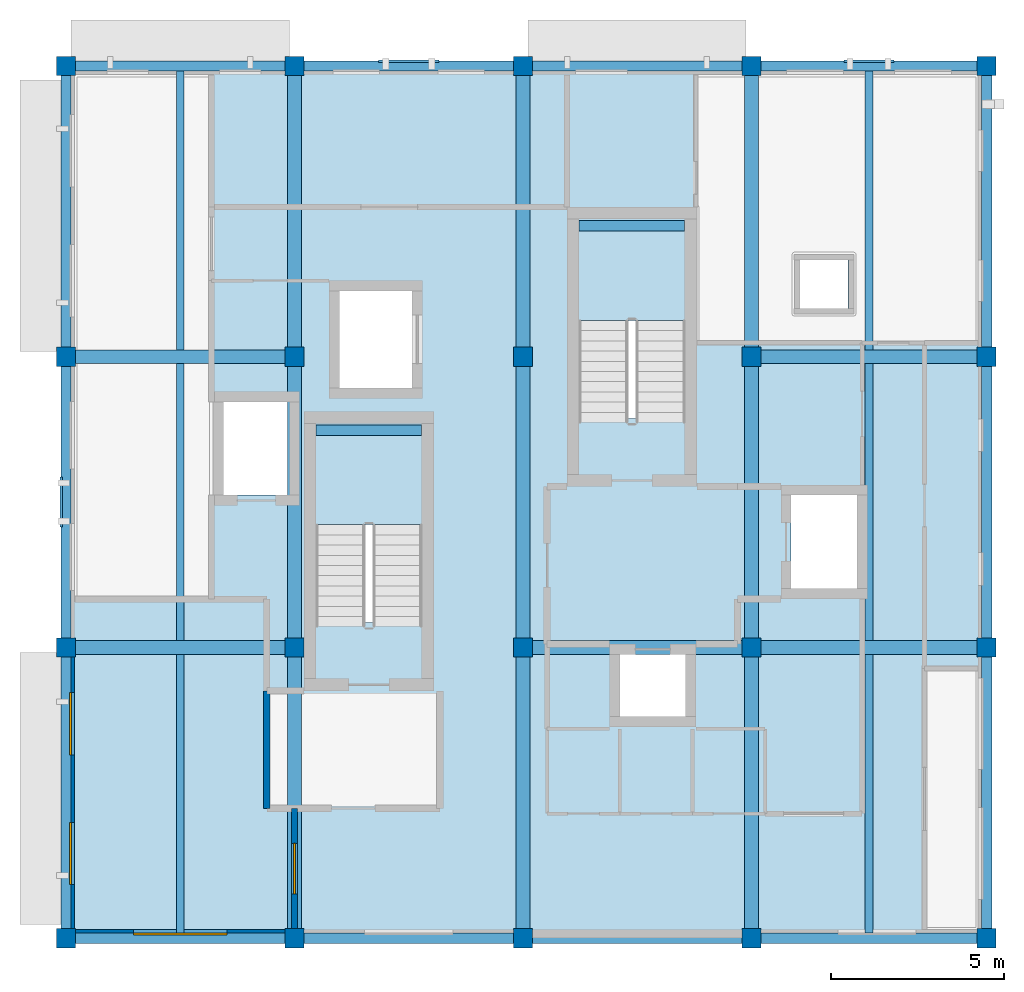
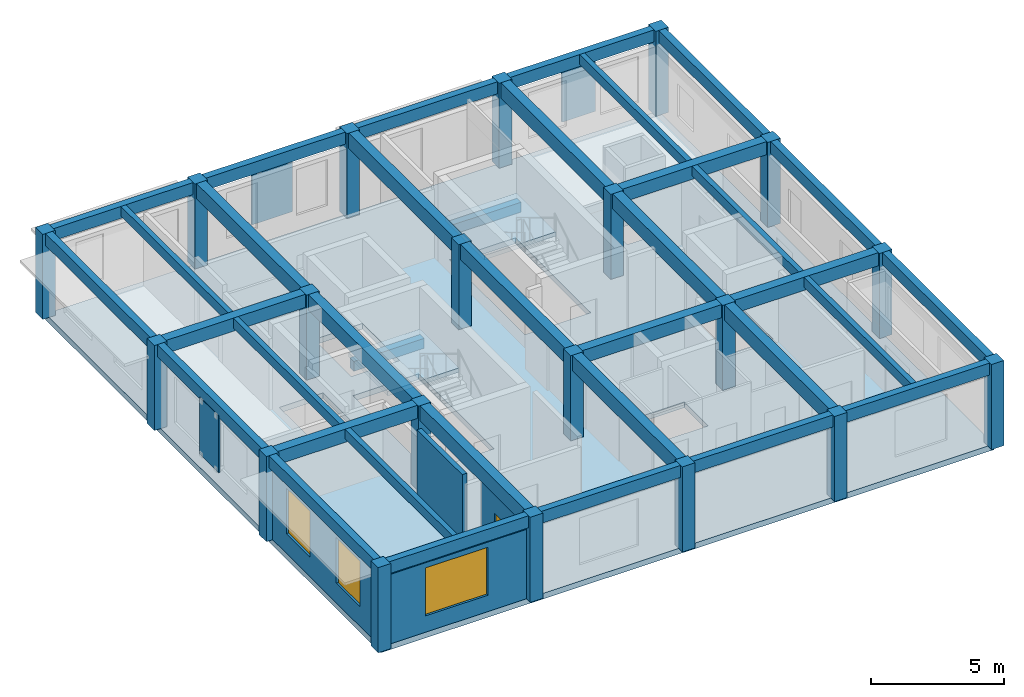
# One storey, part 1 of 6: 36 beams, 20 columns, 4 walls, 3 plates, 3 slabs, 3 windows, 1 door, 4 openings, 2 elements without a shape of their own.
"""IFC4 building model written with IfcOpenShell, lengths in metres."""

from ifc_helpers import new_model, si_unit, direction, frame, frame_2d, origin, origin_2d, place, context, subcontext, project, spatial, polyline, rectangle, outline, extrude, material, layer, layer_set, material_profile, profile_set, type_object, element, fill, aggregate, save


model = new_model("IFC4")

# Units and contexts
model_context = context("Model", 3, precision=1e-05, world=origin(), true_north=direction((0.0, 1.0)))
body_context = subcontext(model_context, "Body", "Model", "MODEL_VIEW")
ifc_project = project(units=[si_unit("LENGTHUNIT", "METRE"), si_unit("AREAUNIT", "SQUARE_METRE"), si_unit("VOLUMEUNIT", "CUBIC_METRE"), si_unit("PLANEANGLEUNIT", "RADIAN"), si_unit("MASSUNIT", "GRAM", prefix="KILO")], contexts=[model_context])

# Site, building, storey
site_placement = place(None, origin())
site = spatial("IfcSite", under=ifc_project, at=site_placement, CompositionType="ELEMENT")
building_placement = place(site_placement, origin())
building = spatial("IfcBuilding", under=site, at=building_placement, Name="Kolvaren Faculty of Natural Sciences", CompositionType="ELEMENT")
storey_placement = place(building_placement, frame((0.0, 0.0, 36.60009765625)))
storey = spatial("IfcBuildingStorey", under=building, at=storey_placement, Name="L08", CompositionType="ELEMENT", Elevation=36.60009765625)

# Columns
ifc_material_1 = material(Name="Concrete C35/45", Category="concrete")
ifc_material_profile_1 = material_profile(ifc_material_1, rectangle(XDim=0.550048828125, YDim=0.550048828125, at=origin_2d()), Name="RC COL 550x550")
ifc_profile_set_1 = profile_set([ifc_material_profile_1], Name="Concrete C35/45")
column_type = type_object("IfcColumnType", Name="UpperColumn_550x550", PredefinedType="COLUMN", material=ifc_profile_set_1)
for number, where, z_axis, x_axis, name in (
    (1, (145.39990234375, 59.0, 0.0), (0.0, 0.0, 1.0), (1.0, 0.0, 0.0), "L08 column UC-55 at 23/H"),
    (2, (145.39990234375, 67.39990234375, 0.0), (0.0, 0.0, 1.0), (1.0, 0.0, 0.0), "L08 column UC-55 at 23/J"),
    (3, (145.39990234375, 75.800048828125, 0.0), (0.0, 0.0, 1.0), (1.0, 0.0, 0.0), "L08 column UC-55 at 23/K"),
    (4, (145.39990234375, 84.199951171875, 0.0), (0.0, 0.0, 1.0), (1.0, 0.0, 0.0), "L08 column UC-55 at 23/L"),
    (5, (152.0, 59.0, 0.0), (0.0, 0.0, 1.0), (1.0, 0.0, 0.0), "L08 column UC-55 at 24/H"),
    (6, (152.0, 67.39990234375, 0.0), (0.0, 0.0, 1.0), (1.0, 0.0, 0.0), "L08 column UC-55 at 24/J"),
    (7, (152.0, 75.800048828125, 0.0), (0.0, 0.0, 1.0), (1.0, 0.0, 0.0), "L08 column UC-55 at 24/K"),
    (8, (152.0, 84.199951171875, 0.0), (0.0, 0.0, 1.0), (1.0, 0.0, 0.0), "L08 column UC-55 at 24/L"),
    (9, (158.60009765625, 59.0, 0.0), (0.0, 0.0, 1.0), (1.0, 0.0, 0.0), "L08 column UC-55 at 25/H"),
    (10, (158.60009765625, 67.39990234375, 0.0), (0.0, 0.0, 1.0), (1.0, 0.0, 0.0), "L08 column UC-55 at 25/J"),
    (11, (158.60009765625, 75.800048828125, 0.0), (0.0, 0.0, 1.0), (1.0, 0.0, 0.0), "L08 column UC-55 at 25/K"),
    (12, (158.60009765625, 84.199951171875, 0.0), (0.0, 0.0, 1.0), (1.0, 0.0, 0.0), "L08 column UC-55 at 25/L"),
    (13, (165.199951171875, 59.0, 0.0), (0.0, 0.0, 1.0), (1.0, 0.0, 0.0), "L08 column UC-55 at 26/H"),
    (14, (165.199951171875, 67.39990234375, 0.0), (0.0, 0.0, 1.0), (1.0, 0.0, 0.0), "L08 column UC-55 at 26/J"),
    (15, (165.199951171875, 75.800048828125, 0.0), (0.0, 0.0, 1.0), (1.0, 0.0, 0.0), "L08 column UC-55 at 26/K"),
    (16, (165.199951171875, 84.199951171875, 0.0), (0.0, 0.0, 1.0), (1.0, 0.0, 0.0), "L08 column UC-55 at 26/L"),
    (17, (172.0, 59.0, 0.0), (0.0, 0.0, 1.0), (1.0, 0.0, 0.0), "L08 column UC-55 at 27/H"),
    (18, (172.0, 67.39990234375, 0.0), (0.0, 0.0, 1.0), (1.0, 0.0, 0.0), "L08 column UC-55 at 27/J"),
    (19, (172.0, 75.800048828125, 0.0), (0.0, 0.0, 1.0), (1.0, 0.0, 0.0), "L08 column UC-55 at 27/K"),
    (20, (172.0, 84.199951171875, 0.0), (0.0, 0.0, 1.0), (1.0, 0.0, 0.0), "L08 column UC-55 at 27/L"),
):
    element("IfcColumn", number, at=place(storey_placement, frame(where, z_axis=z_axis, x_axis=x_axis)), inside=storey, type_object=column_type, Name=name, PredefinedType="COLUMN", context=body_context, shape_type="SweptSolid", body=[
        extrude(rectangle(XDim=0.550048828125, YDim=0.550048828125, at=origin_2d()), origin(), (0.0, 0.0, 1.0), 3.89990234375),
    ])

# Beams
ifc_material_2 = material(Name="Concrete C40/50", Category="concrete")
ifc_material_profile_2 = material_profile(ifc_material_2, rectangle(XDim=0.300048828125, YDim=0.449951171875, at=origin_2d()), Name="RC LNT 300x450")
ifc_profile_set_2 = profile_set([ifc_material_profile_2], Name="Concrete C40/50")
beam_type_1 = type_object("IfcBeamType", Name="CoreCouplingLintel_300x450", PredefinedType="LINTEL", material=ifc_profile_set_2)
beam_1_placement = place(storey_placement, frame((160.22509765625, 79.580078125, 1.52490234375), z_axis=(1.0, 0.0, 0.0), x_axis=(0.0, 1.0, 0.0)))
element("IfcBeam", 21, at=beam_1_placement, inside=storey, type_object=beam_type_1, Name="L08 ST-1 half-landing support lintel", PredefinedType="LINTEL", context=body_context, shape_type="SweptSolid", body=[
    extrude(rectangle(XDim=0.300048828125, YDim=0.449951171875, at=origin_2d()), origin(), (0.0, 0.0, 1.0), 3.0498046875),
])
beam_2_placement = place(storey_placement, frame((152.625, 73.679931640625, 1.52490234375), z_axis=(1.0, 0.0, 0.0), x_axis=(0.0, 1.0, 0.0)))
element("IfcBeam", 22, at=beam_2_placement, inside=storey, type_object=beam_type_1, Name="L08 ST-2 half-landing support lintel", PredefinedType="LINTEL", context=body_context, shape_type="SweptSolid", body=[
    extrude(rectangle(XDim=0.300048828125, YDim=0.449951171875, at=origin_2d()), origin(), (0.0, 0.0, 1.0), 3.050048828125),
])
ifc_material_profile_3 = material_profile(ifc_material_1, rectangle(XDim=0.39990234375, YDim=0.60009765625, at=origin_2d()), Name="RC BM 400x600")
ifc_profile_set_3 = profile_set([ifc_material_profile_3], Name="Concrete C35/45")
beam_type_2 = type_object("IfcBeamType", Name="GridBeam_400x600", PredefinedType="BEAM", material=ifc_profile_set_3)
for number, where, z_axis, x_axis, name in (
    (23, (145.675048828125, 67.39990234375, 3.599853515625), (1.0, 0.0, 0.0), (0.0, 1.0, 0.0), "L08 beam BM-60 on grid J"),
    (24, (158.875, 67.39990234375, 3.599853515625), (1.0, 0.0, 0.0), (0.0, 1.0, 0.0), "L08 beam BM-60 on grid J"),
):
    element("IfcBeam", number, at=place(storey_placement, frame(where, z_axis=z_axis, x_axis=x_axis)), inside=storey, type_object=beam_type_2, Name=name, PredefinedType="BEAM", context=body_context, shape_type="SweptSolid", body=[
        extrude(rectangle(XDim=0.39990234375, YDim=0.60009765625, at=origin_2d()), origin(), (0.0, 0.0, 1.0), 6.050048828125),
    ])
beam_3_placement = place(storey_placement, frame((165.47509765625, 67.39990234375, 3.599853515625), z_axis=(1.0, 0.0, 0.0), x_axis=(0.0, 1.0, 0.0)))
element("IfcBeam", 25, at=beam_3_placement, inside=storey, type_object=beam_type_2, Name="L08 beam BM-60 on grid J", PredefinedType="BEAM", context=body_context, shape_type="SweptSolid", body=[
    extrude(rectangle(XDim=0.39990234375, YDim=0.60009765625, at=origin_2d()), origin(), (0.0, 0.0, 1.0), 6.25),
])
beam_4_placement = place(storey_placement, frame((145.675048828125, 75.800048828125, 3.599853515625), z_axis=(1.0, 0.0, 0.0), x_axis=(0.0, 1.0, 0.0)))
element("IfcBeam", 26, at=beam_4_placement, inside=storey, type_object=beam_type_2, Name="L08 beam BM-60 on grid K", PredefinedType="BEAM", context=body_context, shape_type="SweptSolid", body=[
    extrude(rectangle(XDim=0.39990234375, YDim=0.60009765625, at=origin_2d()), origin(), (0.0, 0.0, 1.0), 6.050048828125),
])
beam_5_placement = place(storey_placement, frame((165.47509765625, 75.800048828125, 3.599853515625), z_axis=(1.0, 0.0, 0.0), x_axis=(0.0, 1.0, 0.0)))
element("IfcBeam", 27, at=beam_5_placement, inside=storey, type_object=beam_type_2, Name="L08 beam BM-60 on grid K", PredefinedType="BEAM", context=body_context, shape_type="SweptSolid", body=[
    extrude(rectangle(XDim=0.39990234375, YDim=0.60009765625, at=origin_2d()), origin(), (0.0, 0.0, 1.0), 6.25),
])
ifc_material_profile_4 = material_profile(ifc_material_1, rectangle(XDim=0.219970703125, YDim=0.449951171875, at=origin_2d()), Name="RC JST 220x450")
ifc_profile_set_4 = profile_set([ifc_material_profile_4], Name="Concrete C35/45")
beam_type_3 = type_object("IfcBeamType", Name="OfficeRibJoist_220x450", PredefinedType="JOIST", material=ifc_profile_set_4)
beam_6_placement = place(storey_placement, frame((148.699951171875, 59.14990234375, 3.6748046875), z_axis=(0.0, 1.0, 0.0), x_axis=(-1.0, 0.0, 0.0)))
element("IfcBeam", 28, at=beam_6_placement, inside=storey, type_object=beam_type_3, Name="L08 ribbed laboratory slab joist JS-45", PredefinedType="JOIST", context=body_context, shape_type="SweptSolid", body=[
    extrude(rectangle(XDim=0.219970703125, YDim=0.449951171875, at=origin_2d()), origin(), (0.0, 0.0, 1.0), 8.050048828125),
])
beam_7_placement = place(storey_placement, frame((148.699951171875, 67.60009765625, 3.6748046875), z_axis=(0.0, 1.0, 0.0), x_axis=(-1.0, 0.0, 0.0)))
element("IfcBeam", 29, at=beam_7_placement, inside=storey, type_object=beam_type_3, Name="L08 ribbed laboratory slab joist JS-45", PredefinedType="JOIST", context=body_context, shape_type="SweptSolid", body=[
    extrude(rectangle(XDim=0.219970703125, YDim=0.449951171875, at=origin_2d()), origin(), (0.0, 0.0, 1.0), 8.0),
])
for number, where, z_axis, x_axis, name in (
    (30, (148.699951171875, 76.0, 3.6748046875), (0.0, 1.0, 0.0), (-1.0, 0.0, 0.0), "L08 ribbed laboratory slab joist JS-45"),
    (31, (168.60009765625, 59.14990234375, 3.6748046875), (0.0, 1.0, 0.0), (-1.0, 0.0, 0.0), "L08 ribbed laboratory slab joist JS-45"),
):
    element("IfcBeam", number, at=place(storey_placement, frame(where, z_axis=z_axis, x_axis=x_axis)), inside=storey, type_object=beam_type_3, Name=name, PredefinedType="JOIST", context=body_context, shape_type="SweptSolid", body=[
        extrude(rectangle(XDim=0.219970703125, YDim=0.449951171875, at=origin_2d()), origin(), (0.0, 0.0, 1.0), 8.050048828125),
    ])
beam_8_placement = place(storey_placement, frame((168.60009765625, 67.60009765625, 3.6748046875), z_axis=(0.0, 1.0, 0.0), x_axis=(-1.0, 0.0, 0.0)))
element("IfcBeam", 32, at=beam_8_placement, inside=storey, type_object=beam_type_3, Name="L08 ribbed laboratory slab joist JS-45", PredefinedType="JOIST", context=body_context, shape_type="SweptSolid", body=[
    extrude(rectangle(XDim=0.219970703125, YDim=0.449951171875, at=origin_2d()), origin(), (0.0, 0.0, 1.0), 8.0),
])
beam_9_placement = place(storey_placement, frame((168.60009765625, 76.0, 3.6748046875), z_axis=(0.0, 1.0, 0.0), x_axis=(-1.0, 0.0, 0.0)))
element("IfcBeam", 33, at=beam_9_placement, inside=storey, type_object=beam_type_3, Name="L08 ribbed laboratory slab joist JS-45", PredefinedType="JOIST", context=body_context, shape_type="SweptSolid", body=[
    extrude(rectangle(XDim=0.219970703125, YDim=0.449951171875, at=origin_2d()), origin(), (0.0, 0.0, 1.0), 8.050048828125),
])
ifc_material_profile_5 = material_profile(ifc_material_1, rectangle(XDim=0.300048828125, YDim=0.550048828125, at=origin_2d()), Name="RC SP 300x550")
ifc_profile_set_5 = profile_set([ifc_material_profile_5], Name="Concrete C35/45")
beam_type_4 = type_object("IfcBeamType", Name="PerimeterSpandrel_300x550", PredefinedType="SPANDREL", material=ifc_profile_set_5)
for number, where, z_axis, x_axis, name in (
    (34, (145.675048828125, 59.0, 3.625), (1.0, 0.0, 0.0), (0.0, 1.0, 0.0), "L08 spandrel SP-55 on grid H"),
    (35, (152.27490234375, 59.0, 3.625), (1.0, 0.0, 0.0), (0.0, 1.0, 0.0), "L08 spandrel SP-55 on grid H"),
    (36, (158.875, 59.0, 3.625), (1.0, 0.0, 0.0), (0.0, 1.0, 0.0), "L08 spandrel SP-55 on grid H"),
):
    element("IfcBeam", number, at=place(storey_placement, frame(where, z_axis=z_axis, x_axis=x_axis)), inside=storey, type_object=beam_type_4, Name=name, PredefinedType="SPANDREL", context=body_context, shape_type="SweptSolid", body=[
        extrude(rectangle(XDim=0.300048828125, YDim=0.550048828125, at=origin_2d()), origin(), (0.0, 0.0, 1.0), 6.050048828125),
    ])
beam_10_placement = place(storey_placement, frame((165.47509765625, 59.0, 3.625), z_axis=(1.0, 0.0, 0.0), x_axis=(0.0, 1.0, 0.0)))
element("IfcBeam", 37, at=beam_10_placement, inside=storey, type_object=beam_type_4, Name="L08 spandrel SP-55 on grid H", PredefinedType="SPANDREL", context=body_context, shape_type="SweptSolid", body=[
    extrude(rectangle(XDim=0.300048828125, YDim=0.550048828125, at=origin_2d()), origin(), (0.0, 0.0, 1.0), 6.25),
])
for number, where, z_axis, x_axis, name in (
    (38, (145.675048828125, 84.199951171875, 3.625), (1.0, 0.0, 0.0), (0.0, 1.0, 0.0), "L08 spandrel SP-55 on grid L"),
    (39, (152.27490234375, 84.199951171875, 3.625), (1.0, 0.0, 0.0), (0.0, 1.0, 0.0), "L08 spandrel SP-55 on grid L"),
    (40, (158.875, 84.199951171875, 3.625), (1.0, 0.0, 0.0), (0.0, 1.0, 0.0), "L08 spandrel SP-55 on grid L"),
):
    element("IfcBeam", number, at=place(storey_placement, frame(where, z_axis=z_axis, x_axis=x_axis)), inside=storey, type_object=beam_type_4, Name=name, PredefinedType="SPANDREL", context=body_context, shape_type="SweptSolid", body=[
        extrude(rectangle(XDim=0.300048828125, YDim=0.550048828125, at=origin_2d()), origin(), (0.0, 0.0, 1.0), 6.050048828125),
    ])
beam_11_placement = place(storey_placement, frame((165.47509765625, 84.199951171875, 3.625), z_axis=(1.0, 0.0, 0.0), x_axis=(0.0, 1.0, 0.0)))
element("IfcBeam", 41, at=beam_11_placement, inside=storey, type_object=beam_type_4, Name="L08 spandrel SP-55 on grid L", PredefinedType="SPANDREL", context=body_context, shape_type="SweptSolid", body=[
    extrude(rectangle(XDim=0.300048828125, YDim=0.550048828125, at=origin_2d()), origin(), (0.0, 0.0, 1.0), 6.25),
])
beam_12_placement = place(storey_placement, frame((145.39990234375, 59.27490234375, 3.625), z_axis=(0.0, 1.0, 0.0), x_axis=(-1.0, 0.0, 0.0)))
element("IfcBeam", 42, at=beam_12_placement, inside=storey, type_object=beam_type_4, Name="L08 girder SP-55 on grid 23", PredefinedType="SPANDREL", context=body_context, shape_type="SweptSolid", body=[
    extrude(rectangle(XDim=0.300048828125, YDim=0.550048828125, at=origin_2d()), origin(), (0.0, 0.0, 1.0), 7.85009765625),
])
beam_13_placement = place(storey_placement, frame((145.39990234375, 67.675048828125, 3.625), z_axis=(0.0, 1.0, 0.0), x_axis=(-1.0, 0.0, 0.0)))
element("IfcBeam", 43, at=beam_13_placement, inside=storey, type_object=beam_type_4, Name="L08 girder SP-55 on grid 23", PredefinedType="SPANDREL", context=body_context, shape_type="SweptSolid", body=[
    extrude(rectangle(XDim=0.300048828125, YDim=0.550048828125, at=origin_2d()), origin(), (0.0, 0.0, 1.0), 7.849853515625),
])
for number, where, z_axis, x_axis, name in (
    (44, (145.39990234375, 76.074951171875, 3.625), (0.0, 1.0, 0.0), (-1.0, 0.0, 0.0), "L08 girder SP-55 on grid 23"),
    (45, (172.0, 59.27490234375, 3.625), (0.0, 1.0, 0.0), (-1.0, 0.0, 0.0), "L08 girder SP-55 on grid 27"),
):
    element("IfcBeam", number, at=place(storey_placement, frame(where, z_axis=z_axis, x_axis=x_axis)), inside=storey, type_object=beam_type_4, Name=name, PredefinedType="SPANDREL", context=body_context, shape_type="SweptSolid", body=[
        extrude(rectangle(XDim=0.300048828125, YDim=0.550048828125, at=origin_2d()), origin(), (0.0, 0.0, 1.0), 7.85009765625),
    ])
beam_14_placement = place(storey_placement, frame((172.0, 67.675048828125, 3.625), z_axis=(0.0, 1.0, 0.0), x_axis=(-1.0, 0.0, 0.0)))
element("IfcBeam", 46, at=beam_14_placement, inside=storey, type_object=beam_type_4, Name="L08 girder SP-55 on grid 27", PredefinedType="SPANDREL", context=body_context, shape_type="SweptSolid", body=[
    extrude(rectangle(XDim=0.300048828125, YDim=0.550048828125, at=origin_2d()), origin(), (0.0, 0.0, 1.0), 7.849853515625),
])
beam_15_placement = place(storey_placement, frame((172.0, 76.074951171875, 3.625), z_axis=(0.0, 1.0, 0.0), x_axis=(-1.0, 0.0, 0.0)))
element("IfcBeam", 47, at=beam_15_placement, inside=storey, type_object=beam_type_4, Name="L08 girder SP-55 on grid 27", PredefinedType="SPANDREL", context=body_context, shape_type="SweptSolid", body=[
    extrude(rectangle(XDim=0.300048828125, YDim=0.550048828125, at=origin_2d()), origin(), (0.0, 0.0, 1.0), 7.85009765625),
])
ifc_material_profile_6 = material_profile(ifc_material_1, rectangle(XDim=0.39990234375, YDim=0.699951171875, at=origin_2d()), Name="RC BM 400x700")
ifc_profile_set_6 = profile_set([ifc_material_profile_6], Name="Concrete C35/45")
beam_type_5 = type_object("IfcBeamType", Name="UpperGirder_400x700", PredefinedType="BEAM", material=ifc_profile_set_6)
beam_16_placement = place(storey_placement, frame((152.0, 59.27490234375, 3.5498046875), z_axis=(0.0, 1.0, 0.0), x_axis=(-1.0, 0.0, 0.0)))
element("IfcBeam", 48, at=beam_16_placement, inside=storey, type_object=beam_type_5, Name="L08 girder BG-70 on grid 24", PredefinedType="BEAM", context=body_context, shape_type="SweptSolid", body=[
    extrude(rectangle(XDim=0.39990234375, YDim=0.699951171875, at=origin_2d()), origin(), (0.0, 0.0, 1.0), 7.85009765625),
])
beam_17_placement = place(storey_placement, frame((152.0, 67.675048828125, 3.5498046875), z_axis=(0.0, 1.0, 0.0), x_axis=(-1.0, 0.0, 0.0)))
element("IfcBeam", 49, at=beam_17_placement, inside=storey, type_object=beam_type_5, Name="L08 girder BG-70 on grid 24", PredefinedType="BEAM", context=body_context, shape_type="SweptSolid", body=[
    extrude(rectangle(XDim=0.39990234375, YDim=0.699951171875, at=origin_2d()), origin(), (0.0, 0.0, 1.0), 7.849853515625),
])
for number, where, z_axis, x_axis, name in (
    (50, (152.0, 76.074951171875, 3.5498046875), (0.0, 1.0, 0.0), (-1.0, 0.0, 0.0), "L08 girder BG-70 on grid 24"),
    (51, (158.60009765625, 59.27490234375, 3.5498046875), (0.0, 1.0, 0.0), (-1.0, 0.0, 0.0), "L08 girder BG-70 on grid 25"),
):
    element("IfcBeam", number, at=place(storey_placement, frame(where, z_axis=z_axis, x_axis=x_axis)), inside=storey, type_object=beam_type_5, Name=name, PredefinedType="BEAM", context=body_context, shape_type="SweptSolid", body=[
        extrude(rectangle(XDim=0.39990234375, YDim=0.699951171875, at=origin_2d()), origin(), (0.0, 0.0, 1.0), 7.85009765625),
    ])
beam_18_placement = place(storey_placement, frame((158.60009765625, 67.675048828125, 3.5498046875), z_axis=(0.0, 1.0, 0.0), x_axis=(-1.0, 0.0, 0.0)))
element("IfcBeam", 52, at=beam_18_placement, inside=storey, type_object=beam_type_5, Name="L08 girder BG-70 on grid 25", PredefinedType="BEAM", context=body_context, shape_type="SweptSolid", body=[
    extrude(rectangle(XDim=0.39990234375, YDim=0.699951171875, at=origin_2d()), origin(), (0.0, 0.0, 1.0), 7.849853515625),
])
for number, where, z_axis, x_axis, name in (
    (53, (158.60009765625, 76.074951171875, 3.5498046875), (0.0, 1.0, 0.0), (-1.0, 0.0, 0.0), "L08 girder BG-70 on grid 25"),
    (54, (165.199951171875, 59.27490234375, 3.5498046875), (0.0, 1.0, 0.0), (-1.0, 0.0, 0.0), "L08 girder BG-70 on grid 26"),
):
    element("IfcBeam", number, at=place(storey_placement, frame(where, z_axis=z_axis, x_axis=x_axis)), inside=storey, type_object=beam_type_5, Name=name, PredefinedType="BEAM", context=body_context, shape_type="SweptSolid", body=[
        extrude(rectangle(XDim=0.39990234375, YDim=0.699951171875, at=origin_2d()), origin(), (0.0, 0.0, 1.0), 7.85009765625),
    ])
beam_19_placement = place(storey_placement, frame((165.199951171875, 67.675048828125, 3.5498046875), z_axis=(0.0, 1.0, 0.0), x_axis=(-1.0, 0.0, 0.0)))
element("IfcBeam", 55, at=beam_19_placement, inside=storey, type_object=beam_type_5, Name="L08 girder BG-70 on grid 26", PredefinedType="BEAM", context=body_context, shape_type="SweptSolid", body=[
    extrude(rectangle(XDim=0.39990234375, YDim=0.699951171875, at=origin_2d()), origin(), (0.0, 0.0, 1.0), 7.849853515625),
])
beam_20_placement = place(storey_placement, frame((165.199951171875, 76.074951171875, 3.5498046875), z_axis=(0.0, 1.0, 0.0), x_axis=(-1.0, 0.0, 0.0)))
element("IfcBeam", 56, at=beam_20_placement, inside=storey, type_object=beam_type_5, Name="L08 girder BG-70 on grid 26", PredefinedType="BEAM", context=body_context, shape_type="SweptSolid", body=[
    extrude(rectangle(XDim=0.39990234375, YDim=0.699951171875, at=origin_2d()), origin(), (0.0, 0.0, 1.0), 7.85009765625),
])

# Plates
ifc_material_3 = material(Name="Extruded architectural terracotta screen", Category="masonry")
ifc_layer_1 = layer(ifc_material_3, 0.06494140625)
ifc_layer_set_1 = layer_set([ifc_layer_1], Name="Extruded architectural terracotta screen")
plate_type_1 = type_object("IfcPlateType", Name="EnvelopePlate_JL01", PredefinedType="USERDEFINED", material=ifc_layer_set_1)
plate_1_placement = place(storey_placement, frame((145.260009765625, 71.60009765625, 0.849853515625), z_axis=(0.0, 0.0, 1.0), x_axis=(0.0, 1.0, 0.0)))
element("IfcPlate", 57, at=plate_1_placement, inside=storey, type_object=plate_type_1, Name="L08 perforated terracotta jali sun screen JL-01", ObjectType="SCREEN", PredefinedType="USERDEFINED", context=body_context, shape_type="SweptSolid", body=[
    extrude(rectangle(XDim=1.449951171875, YDim=0.06494140625, at=origin_2d()), origin(), (0.0, 0.0, 1.0), 2.60009765625),
])
ifc_layer_2 = layer(ifc_material_3, 0.06494140625)
ifc_layer_set_2 = layer_set([ifc_layer_2], Name="Extruded architectural terracotta screen")
plate_type_2 = type_object("IfcPlateType", Name="EnvelopePlate_JL02", PredefinedType="USERDEFINED", material=ifc_layer_set_2)
plate_2_placement = place(storey_placement, frame((155.300048828125, 84.340087890625, 0.849853515625), z_axis=(0.0, 0.0, 1.0), x_axis=(1.0, 0.0, 0.0)))
element("IfcPlate", 58, at=plate_2_placement, inside=storey, type_object=plate_type_2, Name="L08 perforated terracotta jali sun screen JL-02", ObjectType="SCREEN", PredefinedType="USERDEFINED", context=body_context, shape_type="SweptSolid", body=[
    extrude(rectangle(XDim=1.75, YDim=0.06494140625, at=origin_2d()), origin(), (0.0, 0.0, 1.0), 2.60009765625),
])
ifc_layer_3 = layer(ifc_material_3, 0.06494140625)
ifc_layer_set_3 = layer_set([ifc_layer_3], Name="Extruded architectural terracotta screen")
plate_type_3 = type_object("IfcPlateType", Name="EnvelopePlate_JL03", PredefinedType="USERDEFINED", material=ifc_layer_set_3)
plate_3_placement = place(storey_placement, frame((168.60009765625, 84.340087890625, 0.849853515625), z_axis=(0.0, 0.0, 1.0), x_axis=(1.0, 0.0, 0.0)))
element("IfcPlate", 59, at=plate_3_placement, inside=storey, type_object=plate_type_3, Name="L08 perforated terracotta jali sun screen JL-03", ObjectType="SCREEN", PredefinedType="USERDEFINED", context=body_context, shape_type="SweptSolid", body=[
    extrude(rectangle(XDim=1.449951171875, YDim=0.06494140625, at=origin_2d()), origin(), (0.0, 0.0, 1.0), 2.68505859375),
])

# Stair, slab
stair_type = type_object("IfcStairType", Name="DoglegStair_H3900", PredefinedType="HALF_TURN_STAIR", material=ifc_material_1)
stair_1_placement = place(storey_placement, origin())
stair_1 = element("IfcStair", 60, at=stair_1_placement, inside=storey, type_object=stair_type, Name="L08 Protected exit stair ST-1", PredefinedType="HALF_TURN_STAIR")
ifc_layer_4 = layer(ifc_material_1, 0.199951171875)
ifc_layer_set_4 = layer_set([ifc_layer_4], Name="Concrete C35/45")
slab_type_1 = type_object("IfcSlabType", Name="StairLandingSlab_200", PredefinedType="LANDING", material=ifc_layer_set_4)
slab_1_placement = place(storey_placement, frame((0.0, 0.0, 1.75)))
slab_1 = element("IfcSlab", 61, at=slab_1_placement, type_object=slab_type_1, Name="ST-1 landing 1", PredefinedType="LANDING", context=body_context, shape_type="SweptSolid", body=[
    extrude(outline(polyline([(163.300048828125, 76.85009765625), (163.300048828125, 79.800048828125), (160.199951171875, 79.800048828125), (160.199951171875, 76.85009765625), (163.300048828125, 76.85009765625)])), origin(), (0.0, 0.0, 1.0), 0.199951171875),
])
aggregate(stair_1, [slab_1])

stair_2_placement = place(storey_placement, origin())
stair_2 = element("IfcStair", 62, at=stair_2_placement, inside=storey, type_object=stair_type, Name="L08 Protected exit stair ST-2", PredefinedType="HALF_TURN_STAIR")
slab_2_placement = place(storey_placement, frame((0.0, 0.0, 1.75)))
slab_2 = element("IfcSlab", 63, at=slab_2_placement, type_object=slab_type_1, Name="ST-2 landing 1", PredefinedType="LANDING", context=body_context, shape_type="SweptSolid", body=[
    extrude(outline(polyline([(155.699951171875, 70.949951171875), (155.699951171875, 73.89990234375), (152.60009765625, 73.89990234375), (152.60009765625, 70.949951171875), (155.699951171875, 70.949951171875)])), origin(), (0.0, 0.0, 1.0), 0.199951171875),
])
aggregate(stair_2, [slab_2])

# Slab
ifc_layer_5 = layer(ifc_material_1, 0.260009765625)
ifc_layer_set_5 = layer_set([ifc_layer_5], Name="Concrete C35/45")
slab_type_2 = type_object("IfcSlabType", Name="TowerOfficeSlab_260", PredefinedType="FLOOR", material=ifc_layer_set_5)
slab_3_placement = place(storey_placement, frame((0.0, 0.0, -0.260009765625)))
element("IfcSlab", 64, at=slab_3_placement, inside=storey, type_object=slab_type_2, Name="L08 V6 structural slab 1", PredefinedType="FLOOR", context=body_context, shape_type="SweptSolid", body=[
    extrude(outline(polyline([(145.39990234375, 59.0), (145.39990234375, 84.199951171875), (172.0, 84.199951171875), (172.0, 59.0), (145.39990234375, 59.0)]), holes=[polyline([(166.35009765625, 71.800048828125), (166.35009765625, 69.10009765625), (168.25, 69.10009765625), (168.25, 71.800048828125), (166.35009765625, 71.800048828125)]), polyline([(166.60009765625, 78.60009765625), (166.60009765625, 77.199951171875), (168.0, 77.199951171875), (168.0, 78.60009765625), (166.60009765625, 78.60009765625)]), polyline([(161.39990234375, 65.39990234375), (163.300048828125, 65.39990234375), (163.300048828125, 67.199951171875), (161.39990234375, 67.199951171875), (161.39990234375, 65.39990234375)]), polyline([(160.320068359375, 79.679931640625), (160.320068359375, 74.02001953125), (163.179931640625, 74.02001953125), (163.179931640625, 79.679931640625), (160.320068359375, 79.679931640625)]), polyline([(152.719970703125, 73.780029296875), (152.719970703125, 68.1201171875), (155.580078125, 68.1201171875), (155.580078125, 73.780029296875), (152.719970703125, 73.780029296875)]), polyline([(153.300048828125, 77.699951171875), (153.300048828125, 74.89990234375), (155.39990234375, 74.89990234375), (155.39990234375, 77.699951171875), (153.300048828125, 77.699951171875)]), polyline([(149.949951171875, 74.5), (149.949951171875, 71.800048828125), (151.85009765625, 71.800048828125), (151.85009765625, 74.5), (149.949951171875, 74.5)])]), origin(), (0.0, 0.0, 1.0), 0.260009765625),
])

# Wall, openings, windows
ifc_material_4 = material(Name="Precast concrete C35/45", Category="concrete")
ifc_layer_6 = layer(ifc_material_4, 0.25)
ifc_layer_set_6 = layer_set([ifc_layer_6], Name="Precast concrete C35/45")
wall_type_1 = type_object("IfcWallType", Name="ExteriorTowerWall_250", PredefinedType="STANDARD", material=ifc_layer_set_6)
wall_1_placement = place(storey_placement, frame((145.52490234375, 59.25, 0.0), z_axis=(0.0, 0.0, 1.0), x_axis=(0.0, 1.0, 0.0)))
wall_1 = element("IfcWall", 65, at=wall_1_placement, inside=storey, type_object=wall_type_1, Name="L08 exterior masonry wall EW-250 (733)", PredefinedType="STANDARD", context=body_context, shape_type="SweptSolid", body=[
    extrude(rectangle(XDim=8.14990234375, YDim=0.25, at=frame_2d((4.074951171875, 0.0))), origin(), (0.0, 0.0, 1.0), 3.284912109375),
])
opening_1_placement = place(wall_1_placement, frame((1.300537109375, 0.0, 0.89990234375)))
opening_1 = element("IfcOpeningElement", 66, at=opening_1_placement, cuts=wall_1, Name="Opening WIN-05", PredefinedType="OPENING", context=body_context, shape_type="SweptSolid", body=[
    extrude(rectangle(XDim=1.800048828125, YDim=2.10009765625, at=frame_2d((0.89990234375, 1.050048828125))), frame((0.0, 0.135009765625, 0.0), z_axis=(0.0, -1.0, 0.0), x_axis=(1.0, 0.0, 0.0)), (0.0, 0.0, 1.0), 0.27001953125),
])
opening_2_placement = place(wall_1_placement, frame((5.049560546875, 0.0, 0.89990234375)))
opening_2 = element("IfcOpeningElement", 67, at=opening_2_placement, cuts=wall_1, Name="Opening WIN-05", PredefinedType="OPENING", context=body_context, shape_type="SweptSolid", body=[
    extrude(rectangle(XDim=1.800048828125, YDim=2.10009765625, at=frame_2d((0.89990234375, 1.050048828125))), frame((0.0, 0.135009765625, 0.0), z_axis=(0.0, -1.0, 0.0), x_axis=(1.0, 0.0, 0.0)), (0.0, 0.0, 1.0), 0.27001953125),
])
ifc_material_5 = material(Name="Double low-E solar control insulated glazing", Category="glass")
window_type_1 = type_object("IfcWindowType", Name="AluWindow_WIN05_1800x2100", PartitioningType="SINGLE_PANEL", PredefinedType="WINDOW", material=ifc_material_5)
window_1_placement = place(opening_1_placement, origin())
window_1 = element("IfcWindow", 68, at=window_1_placement, inside=storey, type_object=window_type_1, Name="WIN-L08-0596", OverallHeight=2.10009765625, OverallWidth=1.800048828125, PartitioningType="SINGLE_PANEL", PredefinedType="WINDOW", context=body_context, shape_type="SweptSolid", body=[
    extrude(rectangle(XDim=1.800048828125, YDim=2.10009765625, at=frame_2d((0.89990234375, 1.050048828125))), frame((0.0, 0.030029296875, 0.0), z_axis=(0.0, -1.0, 0.0), x_axis=(1.0, 0.0, 0.0)), (0.0, 0.0, 1.0), 0.06005859375),
])
fill(opening_1, window_1)
window_2_placement = place(opening_2_placement, origin())
window_2 = element("IfcWindow", 69, at=window_2_placement, inside=storey, type_object=window_type_1, Name="WIN-L08-0597", OverallHeight=2.10009765625, OverallWidth=1.800048828125, PartitioningType="SINGLE_PANEL", PredefinedType="WINDOW", context=body_context, shape_type="SweptSolid", body=[
    extrude(rectangle(XDim=1.800048828125, YDim=2.10009765625, at=frame_2d((0.89990234375, 1.050048828125))), frame((0.0, 0.030029296875, 0.0), z_axis=(0.0, -1.0, 0.0), x_axis=(1.0, 0.0, 0.0)), (0.0, 0.0, 1.0), 0.06005859375),
])
fill(opening_2, window_2)

# Wall, opening, window
wall_2_placement = place(storey_placement, frame((152.0, 59.125, 0.0), z_axis=(0.0, 0.0, 1.0), x_axis=(-1.0, 0.0, 0.0)))
wall_2 = element("IfcWall", 70, at=wall_2_placement, inside=storey, type_object=wall_type_1, Name="L08 exterior masonry wall EW-250 (739)", PredefinedType="STANDARD", context=body_context, shape_type="SweptSolid", body=[
    extrude(rectangle(XDim=6.60009765625, YDim=0.25, at=frame_2d((3.300048828125, 0.0))), origin(), (0.0, 0.0, 1.0), 3.184814453125),
])
opening_3_placement = place(wall_2_placement, frame((1.949951171875, 0.0, 0.75)))
opening_3 = element("IfcOpeningElement", 71, at=opening_3_placement, cuts=wall_2, Name="Opening WIN-11", PredefinedType="OPENING", context=body_context, shape_type="SweptSolid", body=[
    extrude(rectangle(XDim=2.699951171875, YDim=2.199951171875, at=frame_2d((1.35009765625, 1.10009765625))), frame((0.0, 0.135009765625, 0.0), z_axis=(0.0, -1.0, 0.0), x_axis=(1.0, 0.0, 0.0)), (0.0, 0.0, 1.0), 0.27001953125),
])
window_type_2 = type_object("IfcWindowType", Name="AluWindow_WIN11_2700x2200", PartitioningType="SINGLE_PANEL", PredefinedType="WINDOW", material=ifc_material_5)
window_3_placement = place(opening_3_placement, origin())
window_3 = element("IfcWindow", 72, at=window_3_placement, inside=storey, type_object=window_type_2, Name="WIN-L08-0604", OverallHeight=2.199951171875, OverallWidth=2.699951171875, PartitioningType="SINGLE_PANEL", PredefinedType="WINDOW", context=body_context, shape_type="SweptSolid", body=[
    extrude(rectangle(XDim=2.699951171875, YDim=2.199951171875, at=frame_2d((1.35009765625, 1.10009765625))), frame((0.0, 0.030029296875, 0.0), z_axis=(0.0, -1.0, 0.0), x_axis=(1.0, 0.0, 0.0)), (0.0, 0.0, 1.0), 0.06005859375),
])
fill(opening_3, window_3)

# Wall
ifc_material_6 = material(Name="Autoclaved aerated fire-rated masonry blockwork", Category="masonry")
ifc_layer_7 = layer(ifc_material_6, 0.199951171875)
ifc_layer_set_7 = layer_set([ifc_layer_7], Name="Autoclaved aerated fire-rated masonry blockwork")
wall_type_2 = type_object("IfcWallType", Name="FireLobbyWall_200", PredefinedType="PARTITIONING", material=ifc_layer_set_7)
wall_3_placement = place(storey_placement, frame((151.199951171875, 62.75, 0.0), z_axis=(0.0, 0.0, 1.0), x_axis=(0.0, 1.0, 0.0)))
element("IfcWall", 73, at=wall_3_placement, inside=storey, type_object=wall_type_2, Name="L08 interior partition FW-200", PredefinedType="PARTITIONING", context=body_context, shape_type="SweptSolid", body=[
    extrude(rectangle(XDim=3.39990234375, YDim=0.199951171875, at=frame_2d((1.699951171875, 0.0))), origin(), (0.0, 0.0, 1.0), 3.635009765625),
])

# Wall, opening, door
ifc_material_7 = material(Name="Acoustic mineral-wool insulated gypsum partition")
ifc_layer_8 = layer(ifc_material_7, 0.18505859375)
ifc_layer_set_8 = layer_set([ifc_layer_8], Name="Acoustic mineral-wool insulated gypsum partition")
wall_type_3 = type_object("IfcWallType", Name="LabPartitionWall_185", PredefinedType="PARTITIONING", material=ifc_layer_set_8)
wall_4_placement = place(storey_placement, frame((152.0, 62.75, 0.0), z_axis=(0.0, 0.0, 1.0), x_axis=(0.0, -1.0, 0.0)))
wall_4 = element("IfcWall", 74, at=wall_4_placement, inside=storey, type_object=wall_type_3, Name="L08 interior partition PW-185", PredefinedType="PARTITIONING", context=body_context, shape_type="SweptSolid", body=[
    extrude(rectangle(XDim=3.47509765625, YDim=0.18505859375, at=frame_2d((1.737548828125, 0.0))), origin(), (0.0, 0.0, 1.0), 3.184814453125),
])
opening_4_placement = place(wall_4_placement, frame((1.007568359375, 0.0, 0.0)))
opening_4 = element("IfcOpeningElement", 75, at=opening_4_placement, cuts=wall_4, Name="Opening ID-32", PredefinedType="OPENING", context=body_context, shape_type="SweptSolid", body=[
    extrude(rectangle(XDim=1.4599609375, YDim=2.199951171875, at=frame_2d((0.72998046875, 1.10009765625))), frame((0.0, 0.1025390625, 0.0), z_axis=(0.0, -1.0, 0.0), x_axis=(1.0, 0.0, 0.0)), (0.0, 0.0, 1.0), 0.205078125),
])
ifc_material_8 = material(Name="Thermally broken anodised aluminium glazed door", Category="aluminium")
door_type = type_object("IfcDoorType", Name="InteriorRoomDoor_1460x2200", OperationType="DOUBLE_DOOR_SINGLE_SWING", PredefinedType="DOOR", material=ifc_material_8)
door_placement = place(opening_4_placement, origin())
door = element("IfcDoor", 76, at=door_placement, inside=storey, type_object=door_type, Name="D-L08-0370", OperationType="DOUBLE_DOOR_SINGLE_SWING", OverallHeight=2.199951171875, OverallWidth=1.4599609375, PredefinedType="DOOR", context=body_context, shape_type="SweptSolid", body=[
    extrude(rectangle(XDim=1.4599609375, YDim=2.199951171875, at=frame_2d((0.72998046875, 1.10009765625))), frame((0.0, 0.02490234375, 0.0), z_axis=(0.0, -1.0, 0.0), x_axis=(1.0, 0.0, 0.0)), (0.0, 0.0, 1.0), 0.050048828125),
])
fill(opening_4, door)

save(model, "model.ifc")
